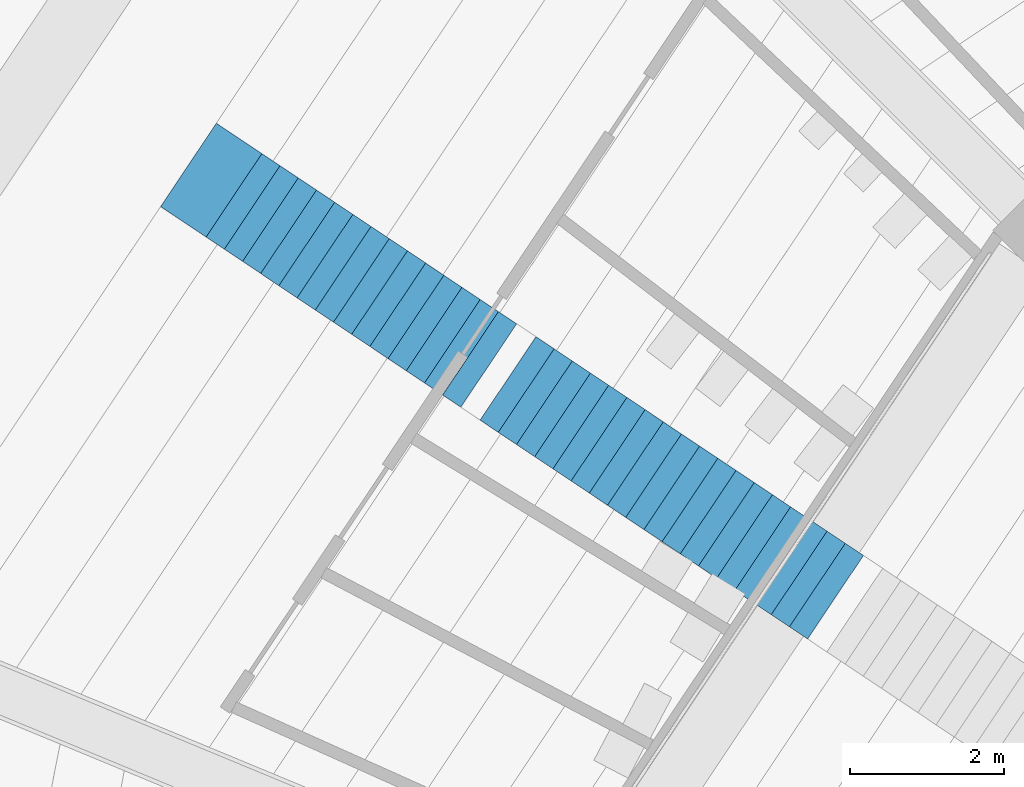
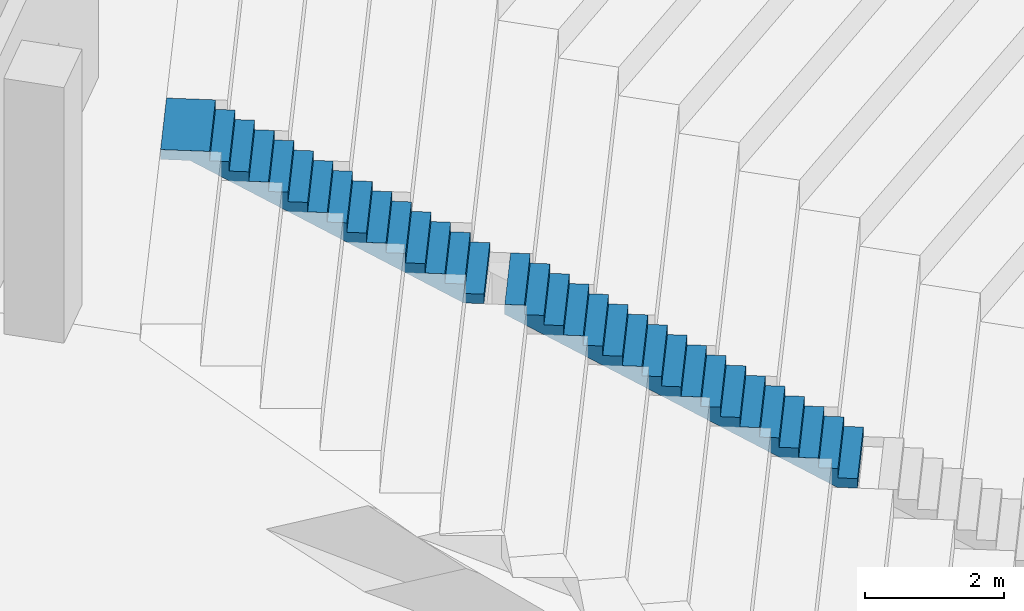
# One storey, part 195 of 249: 2 stair flights, 1 element without a shape of its own.
"""IFC4 building model written with IfcOpenShell, lengths in metres."""

from ifc_helpers import new_model, si_unit, direction, frame, origin, place, context, subcontext, project, spatial, faceted_brep, material, type_object, element, aggregate, save


model = new_model("IFC4")

# Units and contexts
model_context = context("Model", 3, precision=1e-05, world=origin(), true_north=direction((0.0, 1.0)))
body_context = subcontext(model_context, "Body", "Model", "MODEL_VIEW")
ifc_project = project(units=[si_unit("LENGTHUNIT", "METRE"), si_unit("AREAUNIT", "SQUARE_METRE"), si_unit("VOLUMEUNIT", "CUBIC_METRE"), si_unit("PLANEANGLEUNIT", "RADIAN"), si_unit("MASSUNIT", "GRAM", prefix="KILO")], contexts=[model_context])

# Site, building, storey
site_placement = place(None, origin())
site = spatial("IfcSite", under=ifc_project, at=site_placement, CompositionType="ELEMENT")
building_placement = place(site_placement, origin())
building = spatial("IfcBuilding", under=site, at=building_placement, Name="Ogive Plaza Stadium", CompositionType="ELEMENT")
storey_placement = place(building_placement, frame((0.0, 0.0, 13.5)))
storey = spatial("IfcBuildingStorey", under=building, at=storey_placement, Name="L03", CompositionType="ELEMENT", Elevation=13.5)

# Stair, stair flights
ifc_material_1 = material(Name="Concrete C40/50", Category="concrete")
stair_type = type_object("IfcStairType", Name="Aisle stair", PredefinedType="STRAIGHT_RUN_STAIR", material=ifc_material_1)
stair_placement = place(storey_placement, origin())
stair = element("IfcStair", 1, at=stair_placement, inside=storey, type_object=stair_type, Name="Aisle stair SA29U", PredefinedType="STRAIGHT_RUN_STAIR")
ifc_material_2 = material(Name="Concrete C40/50", Category="concrete")
stair_flight_type = type_object("IfcStairFlightType", Name="Aisle stair flight", PredefinedType="STRAIGHT", material=ifc_material_2)
stair_flight_1_placement = place(storey_placement, frame((-56.366455078125, 67.44482421875, 3.5), z_axis=(0.0, 0.0, 1.0), x_axis=(-0.831469612303, 0.55557023302, 0.0)))
stair_flight_1 = element("IfcStairFlight", 2, at=stair_flight_1_placement, type_object=stair_flight_type, Name="SA29U flight 2", NumberOfRisers=18, NumberOfTreads=17, PredefinedType="STRAIGHT", RiserHeight=0.166666667, TreadLength=0.283333333, context=body_context, shape_type="Brep", body=[
    faceted_brep([(0.295654296875, -0.64990234375, 0.0), (5.10009765625, -0.64990234375, 2.826171875), (5.10009765625, -0.64990234375, 3.0), (4.816650390625, -0.64990234375, 3.0), (4.816650390625, -0.64990234375, 2.833251953125), (4.533447265625, -0.64990234375, 2.833251953125), (4.533447265625, -0.64990234375, 2.666748046875), (4.25, -0.64990234375, 2.666748046875), (4.25, -0.64990234375, 2.5), (3.966552734375, -0.64990234375, 2.5), (3.966552734375, -0.64990234375, 2.333251953125), (3.683349609375, -0.64990234375, 2.333251953125), (3.683349609375, -0.64990234375, 2.166748046875), (3.39990234375, -0.64990234375, 2.166748046875), (3.39990234375, -0.64990234375, 2.0), (3.11669921875, -0.64990234375, 2.0), (3.11669921875, -0.64990234375, 1.833251953125), (2.833251953125, -0.64990234375, 1.833251953125), (2.833251953125, -0.64990234375, 1.666748046875), (2.550048828125, -0.64990234375, 1.666748046875), (2.550048828125, -0.64990234375, 1.5), (2.2666015625, -0.64990234375, 1.5), (2.2666015625, -0.64990234375, 1.333251953125), (1.9833984375, -0.64990234375, 1.333251953125), (1.9833984375, -0.64990234375, 1.166748046875), (1.699951171875, -0.64990234375, 1.166748046875), (1.699951171875, -0.64990234375, 1.0), (1.416748046875, -0.64990234375, 1.0), (1.416748046875, -0.64990234375, 0.833251953125), (1.13330078125, -0.64990234375, 0.833251953125), (1.13330078125, -0.64990234375, 0.666748046875), (0.85009765625, -0.64990234375, 0.666748046875), (0.85009765625, -0.64990234375, 0.5), (0.566650390625, -0.64990234375, 0.5), (0.566650390625, -0.64990234375, 0.333251953125), (0.283447265625, -0.64990234375, 0.333251953125), (0.283447265625, -0.64990234375, 0.166748046875), (0.0, -0.64990234375, 0.166748046875), (0.0, -0.64990234375, 0.0), (0.0, 0.64990234375, 0.0), (0.0, 0.64990234375, 0.166748046875), (0.283447265625, 0.64990234375, 0.166748046875), (0.283447265625, 0.64990234375, 0.333251953125), (0.566650390625, 0.64990234375, 0.333251953125), (0.566650390625, 0.64990234375, 0.5), (0.85009765625, 0.64990234375, 0.5), (0.85009765625, 0.64990234375, 0.666748046875), (1.13330078125, 0.64990234375, 0.666748046875), (1.13330078125, 0.64990234375, 0.833251953125), (1.416748046875, 0.64990234375, 0.833251953125), (1.416748046875, 0.64990234375, 1.0), (1.699951171875, 0.64990234375, 1.0), (1.699951171875, 0.64990234375, 1.166748046875), (1.9833984375, 0.64990234375, 1.166748046875), (1.9833984375, 0.64990234375, 1.333251953125), (2.2666015625, 0.64990234375, 1.333251953125), (2.2666015625, 0.64990234375, 1.5), (2.550048828125, 0.64990234375, 1.5), (2.550048828125, 0.64990234375, 1.666748046875), (2.833251953125, 0.64990234375, 1.666748046875), (2.833251953125, 0.64990234375, 1.833251953125), (3.11669921875, 0.64990234375, 1.833251953125), (3.11669921875, 0.64990234375, 2.0), (3.39990234375, 0.64990234375, 2.0), (3.39990234375, 0.64990234375, 2.166748046875), (3.683349609375, 0.64990234375, 2.166748046875), (3.683349609375, 0.64990234375, 2.333251953125), (3.966552734375, 0.64990234375, 2.333251953125), (3.966552734375, 0.64990234375, 2.5), (4.25, 0.64990234375, 2.5), (4.25, 0.64990234375, 2.666748046875), (4.533447265625, 0.64990234375, 2.666748046875), (4.533447265625, 0.64990234375, 2.833251953125), (4.816650390625, 0.64990234375, 2.833251953125), (4.816650390625, 0.64990234375, 3.0), (5.10009765625, 0.64990234375, 3.0), (5.10009765625, 0.64990234375, 2.826171875), (0.295654296875, 0.64990234375, 0.0), (0.295654296875, -0.324951171875, 0.0), (5.10009765625, -0.324951171875, 2.826171875), (0.295654296875, 0.0, 0.0), (5.10009765625, 0.0, 2.826171875), (0.295654296875, 0.324951171875, 0.0), (5.10009765625, 0.324951171875, 2.826171875), (5.10009765625, -0.324951171875, 3.0), (5.10009765625, 0.0, 3.0), (5.10009765625, 0.324951171875, 3.0), (4.816650390625, -0.324951171875, 3.0), (4.816650390625, 0.0, 3.0), (4.816650390625, 0.324951171875, 3.0), (4.816650390625, -0.324951171875, 2.833251953125), (4.816650390625, 0.0, 2.833251953125), (4.816650390625, 0.324951171875, 2.833251953125), (4.533447265625, -0.324951171875, 2.833251953125), (4.533447265625, 0.0, 2.833251953125), (4.533447265625, 0.324951171875, 2.833251953125), (4.533447265625, -0.324951171875, 2.666748046875), (4.533447265625, 0.0, 2.666748046875), (4.533447265625, 0.324951171875, 2.666748046875), (4.25, -0.324951171875, 2.666748046875), (4.25, 0.0, 2.666748046875), (4.25, 0.324951171875, 2.666748046875), (4.25, -0.324951171875, 2.5), (4.25, 0.0, 2.5), (4.25, 0.324951171875, 2.5), (3.966552734375, -0.324951171875, 2.5), (3.966552734375, 0.0, 2.5), (3.966552734375, 0.324951171875, 2.5), (3.966552734375, -0.324951171875, 2.333251953125), (3.966552734375, 0.0, 2.333251953125), (3.966552734375, 0.324951171875, 2.333251953125), (3.683349609375, -0.324951171875, 2.333251953125), (3.683349609375, 0.0, 2.333251953125), (3.683349609375, 0.324951171875, 2.333251953125), (3.683349609375, -0.324951171875, 2.166748046875), (3.683349609375, 0.0, 2.166748046875), (3.683349609375, 0.324951171875, 2.166748046875), (3.39990234375, -0.324951171875, 2.166748046875), (3.39990234375, 0.0, 2.166748046875), (3.39990234375, 0.324951171875, 2.166748046875), (3.39990234375, -0.324951171875, 2.0), (3.39990234375, 0.0, 2.0), (3.39990234375, 0.324951171875, 2.0), (3.11669921875, -0.324951171875, 2.0), (3.11669921875, 0.0, 2.0), (3.11669921875, 0.324951171875, 2.0), (3.11669921875, -0.324951171875, 1.833251953125), (3.11669921875, 0.0, 1.833251953125), (3.11669921875, 0.324951171875, 1.833251953125), (2.833251953125, -0.324951171875, 1.833251953125), (2.833251953125, 0.0, 1.833251953125), (2.833251953125, 0.324951171875, 1.833251953125), (2.833251953125, -0.324951171875, 1.666748046875), (2.833251953125, 0.0, 1.666748046875), (2.833251953125, 0.324951171875, 1.666748046875), (2.550048828125, -0.324951171875, 1.666748046875), (2.550048828125, 0.0, 1.666748046875), (2.550048828125, 0.324951171875, 1.666748046875), (2.550048828125, -0.324951171875, 1.5), (2.550048828125, 0.0, 1.5), (2.550048828125, 0.324951171875, 1.5), (2.2666015625, -0.324951171875, 1.5), (2.2666015625, 0.0, 1.5), (2.2666015625, 0.324951171875, 1.5), (2.2666015625, -0.324951171875, 1.333251953125), (2.2666015625, 0.0, 1.333251953125), (2.2666015625, 0.324951171875, 1.333251953125), (1.9833984375, -0.324951171875, 1.333251953125), (1.9833984375, 0.0, 1.333251953125), (1.9833984375, 0.324951171875, 1.333251953125), (1.9833984375, -0.324951171875, 1.166748046875), (1.9833984375, 0.0, 1.166748046875), (1.9833984375, 0.324951171875, 1.166748046875), (1.699951171875, -0.324951171875, 1.166748046875), (1.699951171875, 0.0, 1.166748046875), (1.699951171875, 0.324951171875, 1.166748046875), (1.699951171875, -0.324951171875, 1.0), (1.699951171875, 0.0, 1.0), (1.699951171875, 0.324951171875, 1.0), (1.416748046875, -0.324951171875, 1.0), (1.416748046875, 0.0, 1.0), (1.416748046875, 0.324951171875, 1.0), (1.416748046875, -0.324951171875, 0.833251953125), (1.416748046875, 0.0, 0.833251953125), (1.416748046875, 0.324951171875, 0.833251953125), (1.13330078125, -0.324951171875, 0.833251953125), (1.13330078125, 0.0, 0.833251953125), (1.13330078125, 0.324951171875, 0.833251953125), (1.13330078125, -0.324951171875, 0.666748046875), (1.13330078125, 0.0, 0.666748046875), (1.13330078125, 0.324951171875, 0.666748046875), (0.85009765625, -0.324951171875, 0.666748046875), (0.85009765625, 0.0, 0.666748046875), (0.85009765625, 0.324951171875, 0.666748046875), (0.85009765625, -0.324951171875, 0.5), (0.85009765625, 0.0, 0.5), (0.85009765625, 0.324951171875, 0.5), (0.566650390625, -0.324951171875, 0.5), (0.566650390625, 0.0, 0.5), (0.566650390625, 0.324951171875, 0.5), (0.566650390625, -0.324951171875, 0.333251953125), (0.566650390625, 0.0, 0.333251953125), (0.566650390625, 0.324951171875, 0.333251953125), (0.283447265625, -0.324951171875, 0.333251953125), (0.283447265625, 0.0, 0.333251953125), (0.283447265625, 0.324951171875, 0.333251953125), (0.283447265625, -0.324951171875, 0.166748046875), (0.283447265625, 0.0, 0.166748046875), (0.283447265625, 0.324951171875, 0.166748046875), (0.0, -0.324951171875, 0.166748046875), (0.0, 0.0, 0.166748046875), (0.0, 0.324951171875, 0.166748046875), (0.0, -0.324951171875, 0.0), (0.0, 0.0, 0.0), (0.0, 0.324951171875, 0.0)], [[[0, 1, 2, 3, 4, 5, 6, 7, 8, 9, 10, 11, 12, 13, 14, 15, 16, 17, 18, 19, 20, 21, 22, 23, 24, 25, 26, 27, 28, 29, 30, 31, 32, 33, 34, 35, 36, 37, 38]], [[39, 40, 41, 42, 43, 44, 45, 46, 47, 48, 49, 50, 51, 52, 53, 54, 55, 56, 57, 58, 59, 60, 61, 62, 63, 64, 65, 66, 67, 68, 69, 70, 71, 72, 73, 74, 75, 76, 77]], [[0, 78, 79, 1]], [[78, 80, 81, 79]], [[80, 82, 83, 81]], [[82, 77, 76, 83]], [[1, 79, 84, 2]], [[79, 81, 85, 84]], [[81, 83, 86, 85]], [[83, 76, 75, 86]], [[2, 84, 87, 3]], [[84, 85, 88, 87]], [[85, 86, 89, 88]], [[86, 75, 74, 89]], [[3, 87, 90, 4]], [[87, 88, 91, 90]], [[88, 89, 92, 91]], [[89, 74, 73, 92]], [[4, 90, 93, 5]], [[90, 91, 94, 93]], [[91, 92, 95, 94]], [[92, 73, 72, 95]], [[5, 93, 96, 6]], [[93, 94, 97, 96]], [[94, 95, 98, 97]], [[95, 72, 71, 98]], [[6, 96, 99, 7]], [[96, 97, 100, 99]], [[97, 98, 101, 100]], [[98, 71, 70, 101]], [[7, 99, 102, 8]], [[99, 100, 103, 102]], [[100, 101, 104, 103]], [[101, 70, 69, 104]], [[8, 102, 105, 9]], [[102, 103, 106, 105]], [[103, 104, 107, 106]], [[104, 69, 68, 107]], [[9, 105, 108, 10]], [[105, 106, 109, 108]], [[106, 107, 110, 109]], [[107, 68, 67, 110]], [[10, 108, 111, 11]], [[108, 109, 112, 111]], [[109, 110, 113, 112]], [[110, 67, 66, 113]], [[11, 111, 114, 12]], [[111, 112, 115, 114]], [[112, 113, 116, 115]], [[113, 66, 65, 116]], [[12, 114, 117, 13]], [[114, 115, 118, 117]], [[115, 116, 119, 118]], [[116, 65, 64, 119]], [[13, 117, 120, 14]], [[117, 118, 121, 120]], [[118, 119, 122, 121]], [[119, 64, 63, 122]], [[14, 120, 123, 15]], [[120, 121, 124, 123]], [[121, 122, 125, 124]], [[122, 63, 62, 125]], [[15, 123, 126, 16]], [[123, 124, 127, 126]], [[124, 125, 128, 127]], [[125, 62, 61, 128]], [[16, 126, 129, 17]], [[126, 127, 130, 129]], [[127, 128, 131, 130]], [[128, 61, 60, 131]], [[17, 129, 132, 18]], [[129, 130, 133, 132]], [[130, 131, 134, 133]], [[131, 60, 59, 134]], [[18, 132, 135, 19]], [[132, 133, 136, 135]], [[133, 134, 137, 136]], [[134, 59, 58, 137]], [[19, 135, 138, 20]], [[135, 136, 139, 138]], [[136, 137, 140, 139]], [[137, 58, 57, 140]], [[20, 138, 141, 21]], [[138, 139, 142, 141]], [[139, 140, 143, 142]], [[140, 57, 56, 143]], [[21, 141, 144, 22]], [[141, 142, 145, 144]], [[142, 143, 146, 145]], [[143, 56, 55, 146]], [[22, 144, 147, 23]], [[144, 145, 148, 147]], [[145, 146, 149, 148]], [[146, 55, 54, 149]], [[23, 147, 150, 24]], [[147, 148, 151, 150]], [[148, 149, 152, 151]], [[149, 54, 53, 152]], [[24, 150, 153, 25]], [[150, 151, 154, 153]], [[151, 152, 155, 154]], [[152, 53, 52, 155]], [[25, 153, 156, 26]], [[153, 154, 157, 156]], [[154, 155, 158, 157]], [[155, 52, 51, 158]], [[26, 156, 159, 27]], [[156, 157, 160, 159]], [[157, 158, 161, 160]], [[158, 51, 50, 161]], [[27, 159, 162, 28]], [[159, 160, 163, 162]], [[160, 161, 164, 163]], [[161, 50, 49, 164]], [[28, 162, 165, 29]], [[162, 163, 166, 165]], [[163, 164, 167, 166]], [[164, 49, 48, 167]], [[29, 165, 168, 30]], [[165, 166, 169, 168]], [[166, 167, 170, 169]], [[167, 48, 47, 170]], [[30, 168, 171, 31]], [[168, 169, 172, 171]], [[169, 170, 173, 172]], [[170, 47, 46, 173]], [[31, 171, 174, 32]], [[171, 172, 175, 174]], [[172, 173, 176, 175]], [[173, 46, 45, 176]], [[32, 174, 177, 33]], [[174, 175, 178, 177]], [[175, 176, 179, 178]], [[176, 45, 44, 179]], [[33, 177, 180, 34]], [[177, 178, 181, 180]], [[178, 179, 182, 181]], [[179, 44, 43, 182]], [[34, 180, 183, 35]], [[180, 181, 184, 183]], [[181, 182, 185, 184]], [[182, 43, 42, 185]], [[35, 183, 186, 36]], [[183, 184, 187, 186]], [[184, 185, 188, 187]], [[185, 42, 41, 188]], [[36, 186, 189, 37]], [[186, 187, 190, 189]], [[187, 188, 191, 190]], [[188, 41, 40, 191]], [[37, 189, 192, 38]], [[189, 190, 193, 192]], [[190, 191, 194, 193]], [[191, 40, 39, 194]], [[38, 192, 78, 0]], [[192, 193, 80, 78]], [[193, 194, 82, 80]], [[194, 39, 77, 82]]]),
])
stair_flight_2_placement = place(storey_placement, frame((-60.8564453125, 70.44482421875, 6.5), z_axis=(0.0, 0.0, 1.0), x_axis=(-0.831469612303, 0.55557023302, 0.0)))
stair_flight_2 = element("IfcStairFlight", 3, at=stair_flight_2_placement, type_object=stair_flight_type, Name="SA29U flight 3", NumberOfRisers=15, NumberOfTreads=14, PredefinedType="STRAIGHT", RiserHeight=0.166666667, TreadLength=0.283333333, context=body_context, shape_type="Brep", body=[
    faceted_brep([(0.295654296875, -0.64990234375, 0.0), (4.25, -0.64990234375, 2.326171875), (4.675537109375, -0.64990234375, 2.326171875), (4.675537109375, -0.64990234375, 2.5), (3.966552734375, -0.64990234375, 2.5), (3.966552734375, -0.64990234375, 2.333251953125), (3.683349609375, -0.64990234375, 2.333251953125), (3.683349609375, -0.64990234375, 2.166748046875), (3.39990234375, -0.64990234375, 2.166748046875), (3.39990234375, -0.64990234375, 2.0), (3.11669921875, -0.64990234375, 2.0), (3.11669921875, -0.64990234375, 1.833251953125), (2.833251953125, -0.64990234375, 1.833251953125), (2.833251953125, -0.64990234375, 1.666748046875), (2.550048828125, -0.64990234375, 1.666748046875), (2.550048828125, -0.64990234375, 1.5), (2.2666015625, -0.64990234375, 1.5), (2.2666015625, -0.64990234375, 1.333251953125), (1.9833984375, -0.64990234375, 1.333251953125), (1.9833984375, -0.64990234375, 1.166748046875), (1.699951171875, -0.64990234375, 1.166748046875), (1.699951171875, -0.64990234375, 1.0), (1.416748046875, -0.64990234375, 1.0), (1.416748046875, -0.64990234375, 0.833251953125), (1.13330078125, -0.64990234375, 0.833251953125), (1.13330078125, -0.64990234375, 0.666748046875), (0.85009765625, -0.64990234375, 0.666748046875), (0.85009765625, -0.64990234375, 0.5), (0.566650390625, -0.64990234375, 0.5), (0.566650390625, -0.64990234375, 0.333251953125), (0.283447265625, -0.64990234375, 0.333251953125), (0.283447265625, -0.64990234375, 0.166748046875), (0.0, -0.64990234375, 0.166748046875), (0.0, -0.64990234375, 0.0), (0.0, 0.64990234375, 0.0), (0.0, 0.64990234375, 0.166748046875), (0.283447265625, 0.64990234375, 0.166748046875), (0.283447265625, 0.64990234375, 0.333251953125), (0.566650390625, 0.64990234375, 0.333251953125), (0.566650390625, 0.64990234375, 0.5), (0.85009765625, 0.64990234375, 0.5), (0.85009765625, 0.64990234375, 0.666748046875), (1.13330078125, 0.64990234375, 0.666748046875), (1.13330078125, 0.64990234375, 0.833251953125), (1.416748046875, 0.64990234375, 0.833251953125), (1.416748046875, 0.64990234375, 1.0), (1.699951171875, 0.64990234375, 1.0), (1.699951171875, 0.64990234375, 1.166748046875), (1.9833984375, 0.64990234375, 1.166748046875), (1.9833984375, 0.64990234375, 1.333251953125), (2.2666015625, 0.64990234375, 1.333251953125), (2.2666015625, 0.64990234375, 1.5), (2.550048828125, 0.64990234375, 1.5), (2.550048828125, 0.64990234375, 1.666748046875), (2.833251953125, 0.64990234375, 1.666748046875), (2.833251953125, 0.64990234375, 1.833251953125), (3.11669921875, 0.64990234375, 1.833251953125), (3.11669921875, 0.64990234375, 2.0), (3.39990234375, 0.64990234375, 2.0), (3.39990234375, 0.64990234375, 2.166748046875), (3.683349609375, 0.64990234375, 2.166748046875), (3.683349609375, 0.64990234375, 2.333251953125), (3.966552734375, 0.64990234375, 2.333251953125), (3.966552734375, 0.64990234375, 2.5), (4.675537109375, 0.64990234375, 2.5), (4.675537109375, 0.64990234375, 2.326171875), (4.25, 0.64990234375, 2.326171875), (0.295654296875, 0.64990234375, 0.0), (0.295654296875, -0.324951171875, 0.0), (4.25, -0.324951171875, 2.326171875), (0.295654296875, 0.0, 0.0), (4.25, 0.0, 2.326171875), (0.295654296875, 0.324951171875, 0.0), (4.25, 0.324951171875, 2.326171875), (4.675537109375, -0.324951171875, 2.326171875), (4.675537109375, 0.0, 2.326171875), (4.675537109375, 0.324951171875, 2.326171875), (4.675537109375, -0.324951171875, 2.5), (4.675537109375, 0.0, 2.5), (4.675537109375, 0.324951171875, 2.5), (3.966552734375, -0.324951171875, 2.5), (3.966552734375, 0.0, 2.5), (3.966552734375, 0.324951171875, 2.5), (3.966552734375, -0.324951171875, 2.333251953125), (3.966552734375, 0.0, 2.333251953125), (3.966552734375, 0.324951171875, 2.333251953125), (3.683349609375, -0.324951171875, 2.333251953125), (3.683349609375, 0.0, 2.333251953125), (3.683349609375, 0.324951171875, 2.333251953125), (3.683349609375, -0.324951171875, 2.166748046875), (3.683349609375, 0.0, 2.166748046875), (3.683349609375, 0.324951171875, 2.166748046875), (3.39990234375, -0.324951171875, 2.166748046875), (3.39990234375, 0.0, 2.166748046875), (3.39990234375, 0.324951171875, 2.166748046875), (3.39990234375, -0.324951171875, 2.0), (3.39990234375, 0.0, 2.0), (3.39990234375, 0.324951171875, 2.0), (3.11669921875, -0.324951171875, 2.0), (3.11669921875, 0.0, 2.0), (3.11669921875, 0.324951171875, 2.0), (3.11669921875, -0.324951171875, 1.833251953125), (3.11669921875, 0.0, 1.833251953125), (3.11669921875, 0.324951171875, 1.833251953125), (2.833251953125, -0.324951171875, 1.833251953125), (2.833251953125, 0.0, 1.833251953125), (2.833251953125, 0.324951171875, 1.833251953125), (2.833251953125, -0.324951171875, 1.666748046875), (2.833251953125, 0.0, 1.666748046875), (2.833251953125, 0.324951171875, 1.666748046875), (2.550048828125, -0.324951171875, 1.666748046875), (2.550048828125, 0.0, 1.666748046875), (2.550048828125, 0.324951171875, 1.666748046875), (2.550048828125, -0.324951171875, 1.5), (2.550048828125, 0.0, 1.5), (2.550048828125, 0.324951171875, 1.5), (2.2666015625, -0.324951171875, 1.5), (2.2666015625, 0.0, 1.5), (2.2666015625, 0.324951171875, 1.5), (2.2666015625, -0.324951171875, 1.333251953125), (2.2666015625, 0.0, 1.333251953125), (2.2666015625, 0.324951171875, 1.333251953125), (1.9833984375, -0.324951171875, 1.333251953125), (1.9833984375, 0.0, 1.333251953125), (1.9833984375, 0.324951171875, 1.333251953125), (1.9833984375, -0.324951171875, 1.166748046875), (1.9833984375, 0.0, 1.166748046875), (1.9833984375, 0.324951171875, 1.166748046875), (1.699951171875, -0.324951171875, 1.166748046875), (1.699951171875, 0.0, 1.166748046875), (1.699951171875, 0.324951171875, 1.166748046875), (1.699951171875, -0.324951171875, 1.0), (1.699951171875, 0.0, 1.0), (1.699951171875, 0.324951171875, 1.0), (1.416748046875, -0.324951171875, 1.0), (1.416748046875, 0.0, 1.0), (1.416748046875, 0.324951171875, 1.0), (1.416748046875, -0.324951171875, 0.833251953125), (1.416748046875, 0.0, 0.833251953125), (1.416748046875, 0.324951171875, 0.833251953125), (1.13330078125, -0.324951171875, 0.833251953125), (1.13330078125, 0.0, 0.833251953125), (1.13330078125, 0.324951171875, 0.833251953125), (1.13330078125, -0.324951171875, 0.666748046875), (1.13330078125, 0.0, 0.666748046875), (1.13330078125, 0.324951171875, 0.666748046875), (0.85009765625, -0.324951171875, 0.666748046875), (0.85009765625, 0.0, 0.666748046875), (0.85009765625, 0.324951171875, 0.666748046875), (0.85009765625, -0.324951171875, 0.5), (0.85009765625, 0.0, 0.5), (0.85009765625, 0.324951171875, 0.5), (0.566650390625, -0.324951171875, 0.5), (0.566650390625, 0.0, 0.5), (0.566650390625, 0.324951171875, 0.5), (0.566650390625, -0.324951171875, 0.333251953125), (0.566650390625, 0.0, 0.333251953125), (0.566650390625, 0.324951171875, 0.333251953125), (0.283447265625, -0.324951171875, 0.333251953125), (0.283447265625, 0.0, 0.333251953125), (0.283447265625, 0.324951171875, 0.333251953125), (0.283447265625, -0.324951171875, 0.166748046875), (0.283447265625, 0.0, 0.166748046875), (0.283447265625, 0.324951171875, 0.166748046875), (0.0, -0.324951171875, 0.166748046875), (0.0, 0.0, 0.166748046875), (0.0, 0.324951171875, 0.166748046875), (0.0, -0.324951171875, 0.0), (0.0, 0.0, 0.0), (0.0, 0.324951171875, 0.0)], [[[0, 1, 2, 3, 4, 5, 6, 7, 8, 9, 10, 11, 12, 13, 14, 15, 16, 17, 18, 19, 20, 21, 22, 23, 24, 25, 26, 27, 28, 29, 30, 31, 32, 33]], [[34, 35, 36, 37, 38, 39, 40, 41, 42, 43, 44, 45, 46, 47, 48, 49, 50, 51, 52, 53, 54, 55, 56, 57, 58, 59, 60, 61, 62, 63, 64, 65, 66, 67]], [[0, 68, 69, 1]], [[68, 70, 71, 69]], [[70, 72, 73, 71]], [[72, 67, 66, 73]], [[1, 69, 74, 2]], [[69, 71, 75, 74]], [[71, 73, 76, 75]], [[73, 66, 65, 76]], [[2, 74, 77, 3]], [[74, 75, 78, 77]], [[75, 76, 79, 78]], [[76, 65, 64, 79]], [[3, 77, 80, 4]], [[77, 78, 81, 80]], [[78, 79, 82, 81]], [[79, 64, 63, 82]], [[4, 80, 83, 5]], [[80, 81, 84, 83]], [[81, 82, 85, 84]], [[82, 63, 62, 85]], [[5, 83, 86, 6]], [[83, 84, 87, 86]], [[84, 85, 88, 87]], [[85, 62, 61, 88]], [[6, 86, 89, 7]], [[86, 87, 90, 89]], [[87, 88, 91, 90]], [[88, 61, 60, 91]], [[7, 89, 92, 8]], [[89, 90, 93, 92]], [[90, 91, 94, 93]], [[91, 60, 59, 94]], [[8, 92, 95, 9]], [[92, 93, 96, 95]], [[93, 94, 97, 96]], [[94, 59, 58, 97]], [[9, 95, 98, 10]], [[95, 96, 99, 98]], [[96, 97, 100, 99]], [[97, 58, 57, 100]], [[10, 98, 101, 11]], [[98, 99, 102, 101]], [[99, 100, 103, 102]], [[100, 57, 56, 103]], [[11, 101, 104, 12]], [[101, 102, 105, 104]], [[102, 103, 106, 105]], [[103, 56, 55, 106]], [[12, 104, 107, 13]], [[104, 105, 108, 107]], [[105, 106, 109, 108]], [[106, 55, 54, 109]], [[13, 107, 110, 14]], [[107, 108, 111, 110]], [[108, 109, 112, 111]], [[109, 54, 53, 112]], [[14, 110, 113, 15]], [[110, 111, 114, 113]], [[111, 112, 115, 114]], [[112, 53, 52, 115]], [[15, 113, 116, 16]], [[113, 114, 117, 116]], [[114, 115, 118, 117]], [[115, 52, 51, 118]], [[16, 116, 119, 17]], [[116, 117, 120, 119]], [[117, 118, 121, 120]], [[118, 51, 50, 121]], [[17, 119, 122, 18]], [[119, 120, 123, 122]], [[120, 121, 124, 123]], [[121, 50, 49, 124]], [[18, 122, 125, 19]], [[122, 123, 126, 125]], [[123, 124, 127, 126]], [[124, 49, 48, 127]], [[19, 125, 128, 20]], [[125, 126, 129, 128]], [[126, 127, 130, 129]], [[127, 48, 47, 130]], [[20, 128, 131, 21]], [[128, 129, 132, 131]], [[129, 130, 133, 132]], [[130, 47, 46, 133]], [[21, 131, 134, 22]], [[131, 132, 135, 134]], [[132, 133, 136, 135]], [[133, 46, 45, 136]], [[22, 134, 137, 23]], [[134, 135, 138, 137]], [[135, 136, 139, 138]], [[136, 45, 44, 139]], [[23, 137, 140, 24]], [[137, 138, 141, 140]], [[138, 139, 142, 141]], [[139, 44, 43, 142]], [[24, 140, 143, 25]], [[140, 141, 144, 143]], [[141, 142, 145, 144]], [[142, 43, 42, 145]], [[25, 143, 146, 26]], [[143, 144, 147, 146]], [[144, 145, 148, 147]], [[145, 42, 41, 148]], [[26, 146, 149, 27]], [[146, 147, 150, 149]], [[147, 148, 151, 150]], [[148, 41, 40, 151]], [[27, 149, 152, 28]], [[149, 150, 153, 152]], [[150, 151, 154, 153]], [[151, 40, 39, 154]], [[28, 152, 155, 29]], [[152, 153, 156, 155]], [[153, 154, 157, 156]], [[154, 39, 38, 157]], [[29, 155, 158, 30]], [[155, 156, 159, 158]], [[156, 157, 160, 159]], [[157, 38, 37, 160]], [[30, 158, 161, 31]], [[158, 159, 162, 161]], [[159, 160, 163, 162]], [[160, 37, 36, 163]], [[31, 161, 164, 32]], [[161, 162, 165, 164]], [[162, 163, 166, 165]], [[163, 36, 35, 166]], [[32, 164, 167, 33]], [[164, 165, 168, 167]], [[165, 166, 169, 168]], [[166, 35, 34, 169]], [[33, 167, 68, 0]], [[167, 168, 70, 68]], [[168, 169, 72, 70]], [[169, 34, 67, 72]]]),
])
aggregate(stair, [stair_flight_1, stair_flight_2])

save(model, "model.ifc")
